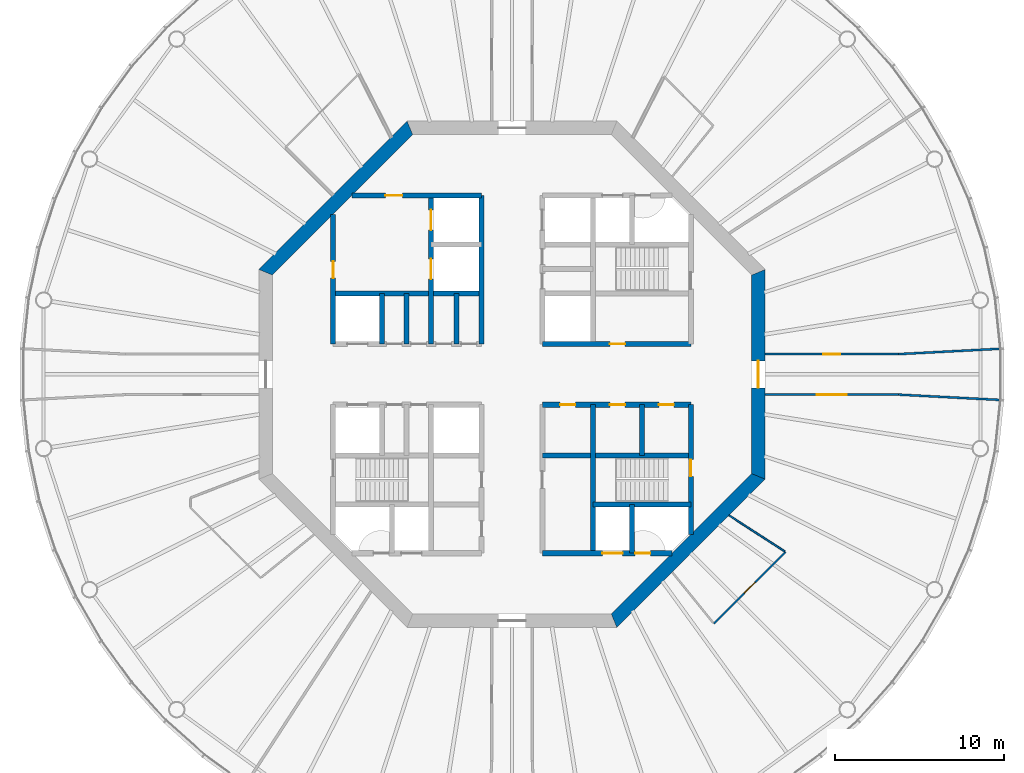
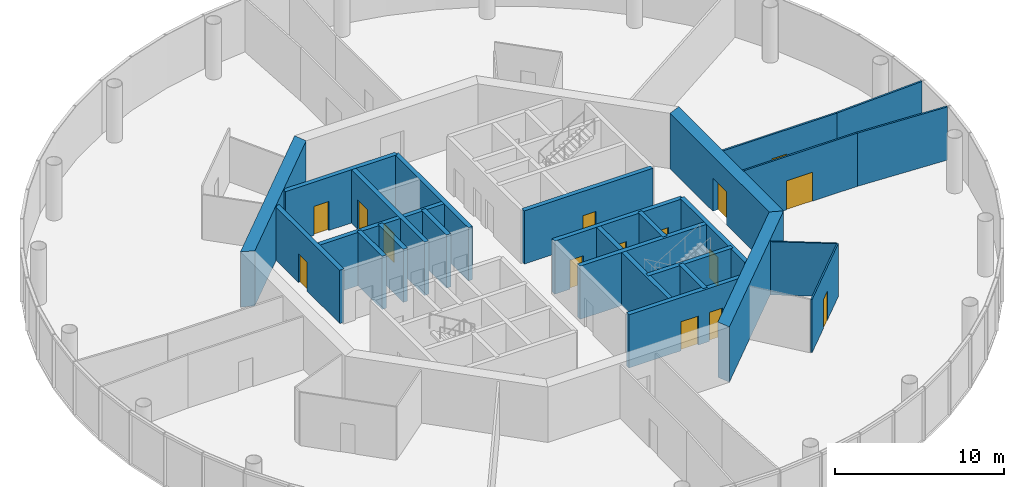
# One storey, part 4 of 13: 26 walls, 15 doors, 15 openings.
"""IFC4 building model written with IfcOpenShell, lengths in metres."""

from ifc_helpers import new_model, si_unit, direction, frame, frame_2d, origin, place, context, subcontext, project, spatial, polyline, rectangle, outline, extrude, material, layer, layer_set, type_object, element, fill, save


model = new_model("IFC4")

# Units and contexts
model_context = context("Model", 3, precision=1e-05, world=origin(), true_north=direction((0.0, 1.0)))
body_context = subcontext(model_context, "Body", "Model", "MODEL_VIEW")
ifc_project = project(units=[si_unit("LENGTHUNIT", "METRE"), si_unit("AREAUNIT", "SQUARE_METRE"), si_unit("VOLUMEUNIT", "CUBIC_METRE"), si_unit("PLANEANGLEUNIT", "RADIAN"), si_unit("MASSUNIT", "GRAM", prefix="KILO")], contexts=[model_context])

# Site, building, storey
site_placement = place(None, origin())
site = spatial("IfcSite", under=ifc_project, at=site_placement, CompositionType="ELEMENT")
building_placement = place(site_placement, origin())
building = spatial("IfcBuilding", under=site, at=building_placement, Name="Entoto Ring Tower", CompositionType="ELEMENT")
storey_placement = place(building_placement, frame((0.0, 0.0, 302.0)))
storey = spatial("IfcBuildingStorey", under=building, at=storey_placement, Name="L69", CompositionType="ELEMENT", Elevation=302.0)

# Wall, opening, door
ifc_material_1 = material(Name="Concrete C40/50", Category="concrete")
ifc_layer_1 = layer(ifc_material_1, 0.300048828125)
ifc_layer_set_1 = layer_set([ifc_layer_1], Name="Concrete C40/50")
wall_type_1 = type_object("IfcWallType", Name="Core enclosure wall 300 mm reinforced concrete", PredefinedType="SOLIDWALL", material=ifc_layer_set_1)
wall_1_placement = place(storey_placement, frame((100.60009765625, 70.518310546875, 0.0), z_axis=(0.0, 0.0, 1.0), x_axis=(0.0, 1.0, 0.0)))
wall_1 = element("IfcWall", 1, at=wall_1_placement, inside=storey, type_object=wall_type_1, Name="wall-L69-001", PredefinedType="SOLIDWALL", context=body_context, shape_type="SweptSolid", body=[
    extrude(rectangle(XDim=7.681640625, YDim=0.300048828125, at=frame_2d((3.8408203125, 0.0))), origin(), (0.0, 0.0, 1.0), 3.85009765625),
])
opening_1_placement = place(wall_1_placement, frame((3.431884765625, 0.0, 0.0)))
opening_1 = element("IfcOpeningElement", 2, at=opening_1_placement, cuts=wall_1, Name="Opening K-28", PredefinedType="OPENING", context=body_context, shape_type="SweptSolid", body=[
    extrude(rectangle(XDim=1.0, YDim=2.10009765625, at=frame_2d((0.5, 1.050048828125))), frame((0.0, 0.16015625, 0.0), z_axis=(0.0, -1.0, 0.0), x_axis=(1.0, 0.0, 0.0)), (0.0, 0.0, 1.0), 0.320068359375),
])
ifc_material_2 = material(Name="Steel door leaf, fire rated", Category="steel")
ifc_layer_2 = layer(ifc_material_2, 0.050048828125)
ifc_layer_set_2 = layer_set([ifc_layer_2], Name="Steel door leaf, fire rated")
door_type_1 = type_object("IfcDoorType", Name="Fire door FD60 1000 x 2100 single leaf", OperationType="NOTDEFINED", PredefinedType="DOOR", material=ifc_layer_set_2)
door_1_placement = place(opening_1_placement, origin())
door_1 = element("IfcDoor", 3, at=door_1_placement, inside=storey, type_object=door_type_1, Name="Door K-28", OperationType="SINGLE_SWING_RIGHT", OverallHeight=2.10009765625, OverallWidth=1.0, PredefinedType="DOOR", context=body_context, shape_type="SweptSolid", body=[
    extrude(rectangle(XDim=1.0, YDim=2.10009765625, at=frame_2d((0.5, 1.050048828125))), frame((0.0, 0.02490234375, 0.0), z_axis=(0.0, -1.0, 0.0), x_axis=(1.0, 0.0, 0.0)), (0.0, 0.0, 1.0), 0.050048828125),
])
fill(opening_1, door_1)

# Walls
wall_2_placement = place(storey_placement, frame((97.699951171875, 75.199951171875, 0.0), z_axis=(0.0, 0.0, 1.0), x_axis=(0.0, 1.0, 0.0)))
element("IfcWall", 4, at=wall_2_placement, inside=storey, type_object=wall_type_1, Name="wall-L69-003", PredefinedType="SOLIDWALL", context=body_context, shape_type="SweptSolid", body=[
    extrude(rectangle(XDim=3.0, YDim=0.300048828125, at=frame_2d((1.5, 0.0))), origin(), (0.0, 0.0, 1.0), 3.85009765625),
])
wall_3_placement = place(storey_placement, frame((97.10009765625, 69.39990234375, 0.0), z_axis=(0.0, 0.0, 1.0), x_axis=(0.0, 1.0, 0.0)))
element("IfcWall", 5, at=wall_3_placement, inside=storey, type_object=wall_type_1, Name="wall-L69-004", PredefinedType="SOLIDWALL", context=body_context, shape_type="SweptSolid", body=[
    extrude(rectangle(XDim=2.900146484375, YDim=0.300048828125, at=frame_2d((1.4501953125, 0.0))), origin(), (0.0, 0.0, 1.0), 3.85009765625),
])
for number, where, z_axis, x_axis, name in (
    (6, (94.800048828125, 69.39990234375, 0.0), (0.0, 0.0, 1.0), (0.0, 1.0, 0.0), "wall-L69-006"),
    (7, (88.199951171875, 81.800048828125, 0.0), (0.0, 0.0, 1.0), (0.0, 1.0, 0.0), "wall-L69-011"),
):
    element("IfcWall", number, at=place(storey_placement, frame(where, z_axis=z_axis, x_axis=x_axis)), inside=storey, type_object=wall_type_1, Name=name, PredefinedType="SOLIDWALL", context=body_context, shape_type="SweptSolid", body=[
        extrude(rectangle(XDim=8.800048828125, YDim=0.300048828125, at=frame_2d((4.39990234375, 0.0))), origin(), (0.0, 0.0, 1.0), 3.85009765625),
    ])
wall_4_placement = place(storey_placement, frame((86.699951171875, 81.800048828125, 0.0), z_axis=(0.0, 0.0, 1.0), x_axis=(0.0, 1.0, 0.0)))
element("IfcWall", 8, at=wall_4_placement, inside=storey, type_object=wall_type_1, Name="wall-L69-012", PredefinedType="SOLIDWALL", context=body_context, shape_type="SweptSolid", body=[
    extrude(rectangle(XDim=3.0, YDim=0.300048828125, at=frame_2d((1.5, 0.0))), origin(), (0.0, 0.0, 1.0), 3.85009765625),
])

# Wall, openings, doors
wall_5_placement = place(storey_placement, frame((85.199951171875, 81.800048828125, 0.0), z_axis=(0.0, 0.0, 1.0), x_axis=(0.0, 1.0, 0.0)))
wall_5 = element("IfcWall", 9, at=wall_5_placement, inside=storey, type_object=wall_type_1, Name="wall-L69-014", PredefinedType="SOLIDWALL", context=body_context, shape_type="SweptSolid", body=[
    extrude(rectangle(XDim=8.800048828125, YDim=0.300048828125, at=frame_2d((4.39990234375, 0.0))), origin(), (0.0, 0.0, 1.0), 3.85009765625),
])
opening_2_placement = place(wall_5_placement, frame((3.85009765625, 0.0, 0.0)))
opening_2 = element("IfcOpeningElement", 10, at=opening_2_placement, cuts=wall_5, Name="Opening LD", PredefinedType="OPENING", context=body_context, shape_type="SweptSolid", body=[
    extrude(rectangle(XDim=1.199951171875, YDim=2.10009765625, at=frame_2d((0.60009765625, 1.050048828125))), frame((0.0, 0.16015625, 0.0), z_axis=(0.0, -1.0, 0.0), x_axis=(1.0, 0.0, 0.0)), (0.0, 0.0, 1.0), 0.320068359375),
])
opening_3_placement = place(wall_5_placement, frame((6.75, 0.0, 0.0)))
opening_3 = element("IfcOpeningElement", 11, at=opening_3_placement, cuts=wall_5, Name="Opening LD", PredefinedType="OPENING", context=body_context, shape_type="SweptSolid", body=[
    extrude(rectangle(XDim=1.199951171875, YDim=2.10009765625, at=frame_2d((0.60009765625, 1.050048828125))), frame((0.0, 0.16015625, 0.0), z_axis=(0.0, -1.0, 0.0), x_axis=(1.0, 0.0, 0.0)), (0.0, 0.0, 1.0), 0.320068359375),
])
ifc_material_3 = material(Name="Steel and glass door leaf", Category="steel")
ifc_layer_3 = layer(ifc_material_3, 0.050048828125)
ifc_layer_set_3 = layer_set([ifc_layer_3], Name="Steel and glass door leaf")
door_type_2 = type_object("IfcDoorType", Name="Landing door 1200 x 2100 sliding", OperationType="DOUBLE_DOOR_SLIDING", PredefinedType="DOOR", material=ifc_layer_set_3)
door_2_placement = place(opening_2_placement, origin())
door_2 = element("IfcDoor", 12, at=door_2_placement, inside=storey, type_object=door_type_2, Name="Landing door FF1", OperationType="SLIDING_TO_RIGHT", OverallHeight=2.10009765625, OverallWidth=1.199951171875, PredefinedType="DOOR", context=body_context, shape_type="SweptSolid", body=[
    extrude(rectangle(XDim=1.199951171875, YDim=2.10009765625, at=frame_2d((0.60009765625, 1.050048828125))), frame((0.0, 0.02490234375, 0.0), z_axis=(0.0, -1.0, 0.0), x_axis=(1.0, 0.0, 0.0)), (0.0, 0.0, 1.0), 0.050048828125),
])
fill(opening_2, door_2)
door_3_placement = place(opening_3_placement, origin())
door_3 = element("IfcDoor", 13, at=door_3_placement, inside=storey, type_object=door_type_2, Name="Landing door FF2", OperationType="SLIDING_TO_RIGHT", OverallHeight=2.10009765625, OverallWidth=1.199951171875, PredefinedType="DOOR", context=body_context, shape_type="SweptSolid", body=[
    extrude(rectangle(XDim=1.199951171875, YDim=2.10009765625, at=frame_2d((0.60009765625, 1.050048828125))), frame((0.0, 0.02490234375, 0.0), z_axis=(0.0, -1.0, 0.0), x_axis=(1.0, 0.0, 0.0)), (0.0, 0.0, 1.0), 0.050048828125),
])
fill(opening_3, door_3)

# Walls
for number, where, z_axis, x_axis, name in (
    (14, (83.75, 81.800048828125, 0.0), (0.0, 0.0, 1.0), (0.0, 1.0, 0.0), "wall-L69-016"),
    (15, (82.300048828125, 81.800048828125, 0.0), (0.0, 0.0, 1.0), (0.0, 1.0, 0.0), "wall-L69-019"),
):
    element("IfcWall", number, at=place(storey_placement, frame(where, z_axis=z_axis, x_axis=x_axis)), inside=storey, type_object=wall_type_1, Name=name, PredefinedType="SOLIDWALL", context=body_context, shape_type="SweptSolid", body=[
        extrude(rectangle(XDim=3.0, YDim=0.300048828125, at=frame_2d((1.5, 0.0))), origin(), (0.0, 0.0, 1.0), 3.85009765625),
    ])

# Wall, opening, door
wall_6_placement = place(storey_placement, frame((79.39990234375, 81.800048828125, 0.0), z_axis=(0.0, 0.0, 1.0), x_axis=(0.0, 1.0, 0.0)))
wall_6 = element("IfcWall", 16, at=wall_6_placement, inside=storey, type_object=wall_type_1, Name="wall-L69-021", PredefinedType="SOLIDWALL", context=body_context, shape_type="SweptSolid", body=[
    extrude(rectangle(XDim=7.681640625, YDim=0.300048828125, at=frame_2d((3.8408203125, 0.0))), origin(), (0.0, 0.0, 1.0), 3.85009765625),
])
opening_4_placement = place(wall_6_placement, frame((3.89990234375, 0.0, 0.0)))
opening_4 = element("IfcOpeningElement", 17, at=opening_4_placement, cuts=wall_6, Name="Opening K-86", PredefinedType="OPENING", context=body_context, shape_type="SweptSolid", body=[
    extrude(rectangle(XDim=1.0, YDim=2.10009765625, at=frame_2d((0.5, 1.050048828125))), frame((0.0, 0.16015625, 0.0), z_axis=(0.0, -1.0, 0.0), x_axis=(1.0, 0.0, 0.0)), (0.0, 0.0, 1.0), 0.320068359375),
])
door_4_placement = place(opening_4_placement, frame((1.0, 0.0, 0.0), z_axis=(0.0, 0.0, 1.0), x_axis=(-1.0, 0.0, 0.0)))
door_4 = element("IfcDoor", 18, at=door_4_placement, inside=storey, type_object=door_type_1, Name="Door K-86", OperationType="SINGLE_SWING_RIGHT", OverallHeight=2.10009765625, OverallWidth=1.0, PredefinedType="DOOR", context=body_context, shape_type="SweptSolid", body=[
    extrude(rectangle(XDim=1.0, YDim=2.10009765625, at=frame_2d((0.5, 1.050048828125))), frame((0.0, 0.02490234375, 0.0), z_axis=(0.0, -1.0, 0.0), x_axis=(1.0, 0.0, 0.0)), (0.0, 0.0, 1.0), 0.050048828125),
])
fill(opening_4, door_4)

# Wall, openings, doors
wall_7_placement = place(storey_placement, frame((91.800048828125, 69.39990234375, 0.0), z_axis=(0.0, 0.0, 1.0), x_axis=(1.0, 0.0, 0.0)))
wall_7 = element("IfcWall", 19, at=wall_7_placement, inside=storey, type_object=wall_type_1, Name="wall-L69-023", PredefinedType="SOLIDWALL", context=body_context, shape_type="SweptSolid", body=[
    extrude(rectangle(XDim=7.681640625, YDim=0.300048828125, at=frame_2d((3.8408203125, 0.0))), origin(), (0.0, 0.0, 1.0), 3.85009765625),
])
opening_5_placement = place(wall_7_placement, frame((3.550048828125, 0.0, 0.0)))
opening_5 = element("IfcOpeningElement", 20, at=opening_5_placement, cuts=wall_7, Name="Opening LD", PredefinedType="OPENING", context=body_context, shape_type="SweptSolid", body=[
    extrude(rectangle(XDim=1.199951171875, YDim=2.10009765625, at=frame_2d((0.60009765625, 1.050048828125))), frame((0.0, 0.16015625, 0.0), z_axis=(0.0, -1.0, 0.0), x_axis=(1.0, 0.0, 0.0)), (0.0, 0.0, 1.0), 0.320068359375),
])
opening_6_placement = place(wall_7_placement, frame((5.5, 0.0, 0.0)))
opening_6 = element("IfcOpeningElement", 21, at=opening_6_placement, cuts=wall_7, Name="Opening K-85", PredefinedType="OPENING", context=body_context, shape_type="SweptSolid", body=[
    extrude(rectangle(XDim=0.89990234375, YDim=2.10009765625, at=frame_2d((0.449951171875, 1.050048828125))), frame((0.0, 0.16015625, 0.0), z_axis=(0.0, -1.0, 0.0), x_axis=(1.0, 0.0, 0.0)), (0.0, 0.0, 1.0), 0.320068359375),
])
door_5_placement = place(opening_5_placement, origin())
door_5 = element("IfcDoor", 22, at=door_5_placement, inside=storey, type_object=door_type_2, Name="Landing door LB2-HR", OperationType="SLIDING_TO_RIGHT", OverallHeight=2.10009765625, OverallWidth=1.199951171875, PredefinedType="DOOR", context=body_context, shape_type="SweptSolid", body=[
    extrude(rectangle(XDim=1.199951171875, YDim=2.10009765625, at=frame_2d((0.60009765625, 1.050048828125))), frame((0.0, 0.02490234375, 0.0), z_axis=(0.0, -1.0, 0.0), x_axis=(1.0, 0.0, 0.0)), (0.0, 0.0, 1.0), 0.050048828125),
])
fill(opening_5, door_5)
ifc_material_4 = material(Name="Steel door leaf, fire rated", Category="steel")
ifc_layer_4 = layer(ifc_material_4, 0.050048828125)
ifc_layer_set_4 = layer_set([ifc_layer_4], Name="Steel door leaf, fire rated")
door_type_3 = type_object("IfcDoorType", Name="Riser door FD60 900 x 2100 single leaf", OperationType="NOTDEFINED", PredefinedType="DOOR", material=ifc_layer_set_4)
door_6_placement = place(opening_6_placement, origin())
door_6 = element("IfcDoor", 23, at=door_6_placement, inside=storey, type_object=door_type_3, Name="Door K-85", OperationType="SINGLE_SWING_LEFT", OverallHeight=2.10009765625, OverallWidth=0.89990234375, PredefinedType="DOOR", context=body_context, shape_type="SweptSolid", body=[
    extrude(rectangle(XDim=0.89990234375, YDim=2.10009765625, at=frame_2d((0.449951171875, 1.050048828125))), frame((0.0, 0.02490234375, 0.0), z_axis=(0.0, -1.0, 0.0), x_axis=(1.0, 0.0, 0.0)), (0.0, 0.0, 1.0), 0.050048828125),
])
fill(opening_6, door_6)

# Walls
wall_8_placement = place(storey_placement, frame((94.800048828125, 72.300048828125, 0.0), z_axis=(0.0, 0.0, 1.0), x_axis=(1.0, 0.0, 0.0)))
element("IfcWall", 24, at=wall_8_placement, inside=storey, type_object=wall_type_1, Name="wall-L69-025", PredefinedType="SOLIDWALL", context=body_context, shape_type="SweptSolid", body=[
    extrude(rectangle(XDim=5.800048828125, YDim=0.300048828125, at=frame_2d((2.89990234375, 0.0))), origin(), (0.0, 0.0, 1.0), 3.85009765625),
])
wall_9_placement = place(storey_placement, frame((91.800048828125, 75.199951171875, 0.0), z_axis=(0.0, 0.0, 1.0), x_axis=(1.0, 0.0, 0.0)))
element("IfcWall", 25, at=wall_9_placement, inside=storey, type_object=wall_type_1, Name="wall-L69-027", PredefinedType="SOLIDWALL", context=body_context, shape_type="SweptSolid", body=[
    extrude(rectangle(XDim=8.800048828125, YDim=0.300048828125, at=frame_2d((4.39990234375, 0.0))), origin(), (0.0, 0.0, 1.0), 3.85009765625),
])

# Wall, openings, doors
wall_10_placement = place(storey_placement, frame((91.800048828125, 78.199951171875, 0.0), z_axis=(0.0, 0.0, 1.0), x_axis=(1.0, 0.0, 0.0)))
wall_10 = element("IfcWall", 26, at=wall_10_placement, inside=storey, type_object=wall_type_1, Name="wall-L69-029", PredefinedType="SOLIDWALL", context=body_context, shape_type="SweptSolid", body=[
    extrude(rectangle(XDim=8.800048828125, YDim=0.300048828125, at=frame_2d((4.39990234375, 0.0))), origin(), (0.0, 0.0, 1.0), 3.85009765625),
])
opening_7_placement = place(wall_10_placement, frame((4.0, 0.0, 0.0)))
opening_7 = element("IfcOpeningElement", 27, at=opening_7_placement, cuts=wall_10, Name="Opening K-14", PredefinedType="OPENING", context=body_context, shape_type="SweptSolid", body=[
    extrude(rectangle(XDim=0.89990234375, YDim=2.10009765625, at=frame_2d((0.449951171875, 1.050048828125))), frame((0.0, 0.16015625, 0.0), z_axis=(0.0, -1.0, 0.0), x_axis=(1.0, 0.0, 0.0)), (0.0, 0.0, 1.0), 0.320068359375),
])
opening_8_placement = place(wall_10_placement, frame((6.89990234375, 0.0, 0.0)))
opening_8 = element("IfcOpeningElement", 28, at=opening_8_placement, cuts=wall_10, Name="Opening K-15", PredefinedType="OPENING", context=body_context, shape_type="SweptSolid", body=[
    extrude(rectangle(XDim=0.89990234375, YDim=2.10009765625, at=frame_2d((0.449951171875, 1.050048828125))), frame((0.0, 0.16015625, 0.0), z_axis=(0.0, -1.0, 0.0), x_axis=(1.0, 0.0, 0.0)), (0.0, 0.0, 1.0), 0.320068359375),
])
opening_9_placement = place(wall_10_placement, frame((1.050048828125, 0.0, 0.0)))
opening_9 = element("IfcOpeningElement", 29, at=opening_9_placement, cuts=wall_10, Name="Opening K-25", PredefinedType="OPENING", context=body_context, shape_type="SweptSolid", body=[
    extrude(rectangle(XDim=0.89990234375, YDim=2.10009765625, at=frame_2d((0.449951171875, 1.050048828125))), frame((0.0, 0.16015625, 0.0), z_axis=(0.0, -1.0, 0.0), x_axis=(1.0, 0.0, 0.0)), (0.0, 0.0, 1.0), 0.320068359375),
])
ifc_material_5 = material(Name="Steel door leaf, fire rated", Category="steel")
ifc_layer_5 = layer(ifc_material_5, 0.050048828125)
ifc_layer_set_5 = layer_set([ifc_layer_5], Name="Steel door leaf, fire rated")
door_type_4 = type_object("IfcDoorType", Name="Core door 900 x 2100 single leaf", OperationType="NOTDEFINED", PredefinedType="DOOR", material=ifc_layer_set_5)
door_7_placement = place(opening_7_placement, frame((0.89990234375, 0.0, 0.0), z_axis=(0.0, 0.0, 1.0), x_axis=(-1.0, 0.0, 0.0)))
door_7 = element("IfcDoor", 30, at=door_7_placement, inside=storey, type_object=door_type_4, Name="Door K-14", OperationType="SINGLE_SWING_RIGHT", OverallHeight=2.10009765625, OverallWidth=0.89990234375, PredefinedType="DOOR", context=body_context, shape_type="SweptSolid", body=[
    extrude(rectangle(XDim=0.89990234375, YDim=2.10009765625, at=frame_2d((0.449951171875, 1.050048828125))), frame((0.0, 0.02490234375, 0.0), z_axis=(0.0, -1.0, 0.0), x_axis=(1.0, 0.0, 0.0)), (0.0, 0.0, 1.0), 0.050048828125),
])
fill(opening_7, door_7)
door_8_placement = place(opening_8_placement, frame((0.89990234375, 0.0, 0.0), z_axis=(0.0, 0.0, 1.0), x_axis=(-1.0, 0.0, 0.0)))
door_8 = element("IfcDoor", 31, at=door_8_placement, inside=storey, type_object=door_type_4, Name="Door K-15", OperationType="SINGLE_SWING_LEFT", OverallHeight=2.10009765625, OverallWidth=0.89990234375, PredefinedType="DOOR", context=body_context, shape_type="SweptSolid", body=[
    extrude(rectangle(XDim=0.89990234375, YDim=2.10009765625, at=frame_2d((0.449951171875, 1.050048828125))), frame((0.0, 0.02490234375, 0.0), z_axis=(0.0, -1.0, 0.0), x_axis=(1.0, 0.0, 0.0)), (0.0, 0.0, 1.0), 0.050048828125),
])
fill(opening_8, door_8)
door_9_placement = place(opening_9_placement, frame((0.89990234375, 0.0, 0.0), z_axis=(0.0, 0.0, 1.0), x_axis=(-1.0, 0.0, 0.0)))
door_9 = element("IfcDoor", 32, at=door_9_placement, inside=storey, type_object=door_type_4, Name="Door K-25", OperationType="SINGLE_SWING_RIGHT", OverallHeight=2.10009765625, OverallWidth=0.89990234375, PredefinedType="DOOR", context=body_context, shape_type="SweptSolid", body=[
    extrude(rectangle(XDim=0.89990234375, YDim=2.10009765625, at=frame_2d((0.449951171875, 1.050048828125))), frame((0.0, 0.02490234375, 0.0), z_axis=(0.0, -1.0, 0.0), x_axis=(1.0, 0.0, 0.0)), (0.0, 0.0, 1.0), 0.050048828125),
])
fill(opening_9, door_9)

# Wall, opening, door
wall_11_placement = place(storey_placement, frame((91.800048828125, 81.800048828125, 0.0), z_axis=(0.0, 0.0, 1.0), x_axis=(1.0, 0.0, 0.0)))
wall_11 = element("IfcWall", 33, at=wall_11_placement, inside=storey, type_object=wall_type_1, Name="wall-L69-031", PredefinedType="SOLIDWALL", context=body_context, shape_type="SweptSolid", body=[
    extrude(rectangle(XDim=8.800048828125, YDim=0.300048828125, at=frame_2d((4.39990234375, 0.0))), origin(), (0.0, 0.0, 1.0), 3.85009765625),
])
opening_10_placement = place(wall_11_placement, frame((4.0, 0.0, 0.0)))
opening_10 = element("IfcOpeningElement", 34, at=opening_10_placement, cuts=wall_11, Name="Opening K-11", PredefinedType="OPENING", context=body_context, shape_type="SweptSolid", body=[
    extrude(rectangle(XDim=0.89990234375, YDim=2.10009765625, at=frame_2d((0.449951171875, 1.050048828125))), frame((0.0, 0.16015625, 0.0), z_axis=(0.0, -1.0, 0.0), x_axis=(1.0, 0.0, 0.0)), (0.0, 0.0, 1.0), 0.320068359375),
])
door_10_placement = place(opening_10_placement, origin())
door_10 = element("IfcDoor", 35, at=door_10_placement, inside=storey, type_object=door_type_4, Name="Door K-11", OperationType="SINGLE_SWING_LEFT", OverallHeight=2.10009765625, OverallWidth=0.89990234375, PredefinedType="DOOR", context=body_context, shape_type="SweptSolid", body=[
    extrude(rectangle(XDim=0.89990234375, YDim=2.10009765625, at=frame_2d((0.449951171875, 1.050048828125))), frame((0.0, 0.02490234375, 0.0), z_axis=(0.0, -1.0, 0.0), x_axis=(1.0, 0.0, 0.0)), (0.0, 0.0, 1.0), 0.050048828125),
])
fill(opening_10, door_10)

# Wall
wall_12_placement = place(storey_placement, frame((79.39990234375, 84.800048828125, 0.0), z_axis=(0.0, 0.0, 1.0), x_axis=(1.0, 0.0, 0.0)))
element("IfcWall", 36, at=wall_12_placement, inside=storey, type_object=wall_type_1, Name="wall-L69-032", PredefinedType="SOLIDWALL", context=body_context, shape_type="SweptSolid", body=[
    extrude(rectangle(XDim=8.800048828125, YDim=0.300048828125, at=frame_2d((4.39990234375, 0.0))), origin(), (0.0, 0.0, 1.0), 3.85009765625),
])

# Wall, opening, door
wall_13_placement = place(storey_placement, frame((80.518310546875, 90.60009765625, 0.0), z_axis=(0.0, 0.0, 1.0), x_axis=(1.0, 0.0, 0.0)))
wall_13 = element("IfcWall", 37, at=wall_13_placement, inside=storey, type_object=wall_type_1, Name="wall-L69-037", PredefinedType="SOLIDWALL", context=body_context, shape_type="SweptSolid", body=[
    extrude(rectangle(XDim=7.681640625, YDim=0.300048828125, at=frame_2d((3.8408203125, 0.0))), origin(), (0.0, 0.0, 1.0), 3.85009765625),
])
opening_11_placement = place(wall_13_placement, frame((1.981689453125, 0.0, 0.0)))
opening_11 = element("IfcOpeningElement", 38, at=opening_11_placement, cuts=wall_13, Name="Opening K-87", PredefinedType="OPENING", context=body_context, shape_type="SweptSolid", body=[
    extrude(rectangle(XDim=1.0, YDim=2.10009765625, at=frame_2d((0.5, 1.050048828125))), frame((0.0, 0.16015625, 0.0), z_axis=(0.0, -1.0, 0.0), x_axis=(1.0, 0.0, 0.0)), (0.0, 0.0, 1.0), 0.320068359375),
])
door_11_placement = place(opening_11_placement, frame((1.0, 0.0, 0.0), z_axis=(0.0, 0.0, 1.0), x_axis=(-1.0, 0.0, 0.0)))
door_11 = element("IfcDoor", 39, at=door_11_placement, inside=storey, type_object=door_type_1, Name="Door K-87", OperationType="SINGLE_SWING_LEFT", OverallHeight=2.10009765625, OverallWidth=1.0, PredefinedType="DOOR", context=body_context, shape_type="SweptSolid", body=[
    extrude(rectangle(XDim=1.0, YDim=2.10009765625, at=frame_2d((0.5, 1.050048828125))), frame((0.0, 0.02490234375, 0.0), z_axis=(0.0, -1.0, 0.0), x_axis=(1.0, 0.0, 0.0)), (0.0, 0.0, 1.0), 0.050048828125),
])
fill(opening_11, door_11)

ifc_material_6 = material(Name="Concrete C40/50", Category="concrete")
ifc_layer_6 = layer(ifc_material_6, 0.800048828125)
ifc_layer_set_6 = layer_set([ifc_layer_6], Name="Concrete C40/50")
wall_type_2 = type_object("IfcWallType", Name="Core shear wall 800 mm reinforced concrete C40/50", PredefinedType="SHEAR", material=ifc_layer_set_6)
wall_14_placement = place(storey_placement, frame((104.60009765625, 73.952392578125, 0.0), z_axis=(0.0, 0.0, 1.0), x_axis=(0.0, 1.0, 0.0)))
wall_14 = element("IfcWall", 40, at=wall_14_placement, inside=storey, type_object=wall_type_2, Name="wall-L69-core-0", PredefinedType="SHEAR", context=body_context, shape_type="SweptSolid", body=[
    extrude(outline(polyline([(-0.165771484375, -0.39990234375), (12.260986328125, -0.39990234375), (11.929443359375, 0.39990234375), (0.165771484375, 0.39990234375), (-0.165771484375, -0.39990234375)])), origin(), (0.0, 0.0, 1.0), 4.0),
])
opening_12_placement = place(wall_14_placement, frame((5.24755859375, 0.0, 0.0)))
opening_12 = element("IfcOpeningElement", 41, at=opening_12_placement, cuts=wall_14, Name="Opening K-01", PredefinedType="OPENING", context=body_context, shape_type="SweptSolid", body=[
    extrude(rectangle(XDim=1.60009765625, YDim=2.39990234375, at=frame_2d((0.800048828125, 1.199951171875))), frame((0.0, 0.41015625, 0.0), z_axis=(0.0, -1.0, 0.0), x_axis=(1.0, 0.0, 0.0)), (0.0, 0.0, 1.0), 0.820068359375),
])
ifc_material_7 = material(Name="Steel door leaf, fire rated", Category="steel")
ifc_layer_7 = layer(ifc_material_7, 0.050048828125)
ifc_layer_set_7 = layer_set([ifc_layer_7], Name="Steel door leaf, fire rated")
door_type_5 = type_object("IfcDoorType", Name="Entrance door FD60 1600 x 2400 double leaf", OperationType="DOUBLE_DOOR_SINGLE_SWING", PredefinedType="DOOR", material=ifc_layer_set_7)
door_12_placement = place(opening_12_placement, origin())
door_12 = element("IfcDoor", 42, at=door_12_placement, inside=storey, type_object=door_type_5, Name="Entrance door K-01", OperationType="DOUBLE_DOOR_SINGLE_SWING", OverallHeight=2.39990234375, OverallWidth=1.60009765625, PredefinedType="DOOR", context=body_context, shape_type="SweptSolid", body=[
    extrude(rectangle(XDim=1.60009765625, YDim=2.39990234375, at=frame_2d((0.800048828125, 1.199951171875))), frame((0.0, 0.02490234375, 0.0), z_axis=(0.0, -1.0, 0.0), x_axis=(1.0, 0.0, 0.0)), (0.0, 0.0, 1.0), 0.050048828125),
])
fill(opening_12, door_12)

# Walls
for number, where, z_axis, x_axis, name in (
    (43, (83.952392578125, 94.60009765625, 0.0), (0.0, 0.0, 1.0), (-0.707106781187, -0.707106781187, 0.0), "wall-L69-core-3"),
    (44, (96.047607421875, 65.39990234375, 0.0), (0.0, 0.0, 1.0), (0.707106781187, 0.707106781187, 0.0), "wall-L69-core-7"),
):
    element("IfcWall", number, at=place(storey_placement, frame(where, z_axis=z_axis, x_axis=x_axis)), inside=storey, type_object=wall_type_2, Name=name, PredefinedType="SHEAR", context=body_context, shape_type="SweptSolid", body=[
        extrude(outline(polyline([(-0.165771484375, -0.39990234375), (12.2607421875, -0.39990234375), (11.92919921875, 0.39990234375), (0.165771484375, 0.39990234375), (-0.165771484375, -0.39990234375)])), origin(), (0.0, 0.0, 1.0), 4.0),
    ])

# Wall, opening, door
ifc_material_8 = material(Name="Fire-resisting plasterboard on steel studs", Category="steel")
ifc_layer_8 = layer(ifc_material_8, 0.125)
ifc_layer_set_8 = layer_set([ifc_layer_8], Name="Fire-resisting plasterboard on steel studs")
wall_type_3 = type_object("IfcWallType", Name="Corridor wall 125 mm one-hour plasterboard on steel studs", PredefinedType="PARTITIONING", material=ifc_layer_set_8)
wall_15_placement = place(storey_placement, frame((105.0, 78.800048828125, 0.0), z_axis=(0.0, 0.0, 1.0), x_axis=(1.0, 0.0, 0.0)))
wall_15 = element("IfcWall", 45, at=wall_15_placement, inside=storey, type_object=wall_type_3, Name="partition-L69-007", PredefinedType="PARTITIONING", context=body_context, shape_type="SweptSolid", body=[
    extrude(rectangle(XDim=7.8974609375, YDim=0.125, at=frame_2d((3.94873046875, 0.0))), origin(), (0.0, 0.0, 1.0), 3.85009765625),
])
opening_13_placement = place(wall_15_placement, frame((3.048583984375, 0.0, 0.0)))
opening_13 = element("IfcOpeningElement", 46, at=opening_13_placement, cuts=wall_15, Name="Opening A30-D09", PredefinedType="OPENING", context=body_context, shape_type="SweptSolid", body=[
    extrude(rectangle(XDim=1.800048828125, YDim=2.10009765625, at=frame_2d((0.89990234375, 1.050048828125))), frame((0.0, 0.072509765625, 0.0), z_axis=(0.0, -1.0, 0.0), x_axis=(1.0, 0.0, 0.0)), (0.0, 0.0, 1.0), 0.14501953125),
])
ifc_material_9 = material(Name="Fire-resisting timber door set", Category="wood")
door_type_6 = type_object("IfcDoorType", Name="Door 1800 x 2100 double leaf FD30S fire door", OperationType="DOUBLE_DOOR_SINGLE_SWING", PredefinedType="DOOR", material=ifc_material_9)
door_13_placement = place(opening_13_placement, frame((1.800048828125, 0.0, 0.0), z_axis=(0.0, 0.0, 1.0), x_axis=(-1.0, 0.0, 0.0)))
door_13 = element("IfcDoor", 47, at=door_13_placement, inside=storey, type_object=door_type_6, Name="Door A30-D09", OperationType="DOUBLE_DOOR_SINGLE_SWING", OverallHeight=2.10009765625, OverallWidth=1.800048828125, PredefinedType="DOOR", context=body_context, shape_type="SweptSolid", body=[
    extrude(rectangle(XDim=1.800048828125, YDim=2.10009765625, at=frame_2d((0.89990234375, 1.050048828125))), frame((0.0, 0.02490234375, 0.0), z_axis=(0.0, -1.0, 0.0), x_axis=(1.0, 0.0, 0.0)), (0.0, 0.0, 1.0), 0.050048828125),
])
fill(opening_13, door_13)

wall_16_placement = place(storey_placement, frame((105.0, 81.199951171875, 0.0), z_axis=(0.0, 0.0, 1.0), x_axis=(1.0, 0.0, 0.0)))
wall_16 = element("IfcWall", 48, at=wall_16_placement, inside=storey, type_object=wall_type_3, Name="partition-L69-008", PredefinedType="PARTITIONING", context=body_context, shape_type="SweptSolid", body=[
    extrude(rectangle(XDim=7.8974609375, YDim=0.125, at=frame_2d((3.94873046875, 0.0))), origin(), (0.0, 0.0, 1.0), 3.85009765625),
])
opening_14_placement = place(wall_16_placement, frame((3.44873046875, 0.0, 0.0)))
opening_14 = element("IfcOpeningElement", 49, at=opening_14_placement, cuts=wall_16, Name="Opening A30-D01", PredefinedType="OPENING", context=body_context, shape_type="SweptSolid", body=[
    extrude(rectangle(XDim=1.0, YDim=2.10009765625, at=frame_2d((0.5, 1.050048828125))), frame((0.0, 0.072509765625, 0.0), z_axis=(0.0, -1.0, 0.0), x_axis=(1.0, 0.0, 0.0)), (0.0, 0.0, 1.0), 0.14501953125),
])
ifc_material_10 = material(Name="Fire-resisting timber door set", Category="wood")
door_type_7 = type_object("IfcDoorType", Name="Door 1000 x 2100 single leaf FD30S fire door", OperationType="NOTDEFINED", PredefinedType="DOOR", material=ifc_material_10)
door_14_placement = place(opening_14_placement, origin())
door_14 = element("IfcDoor", 50, at=door_14_placement, inside=storey, type_object=door_type_7, Name="Door A30-D01", OperationType="SINGLE_SWING_LEFT", OverallHeight=2.10009765625, OverallWidth=1.0, PredefinedType="DOOR", context=body_context, shape_type="SweptSolid", body=[
    extrude(rectangle(XDim=1.0, YDim=2.10009765625, at=frame_2d((0.5, 1.050048828125))), frame((0.0, 0.02490234375, 0.0), z_axis=(0.0, -1.0, 0.0), x_axis=(1.0, 0.0, 0.0)), (0.0, 0.0, 1.0), 0.050048828125),
])
fill(opening_14, door_14)

# Walls
for number, where, z_axis, x_axis, name in (
    (51, (112.900634765625, 81.2001953125, 0.0), (0.0, 0.0, 1.0), (0.998629367342, 0.052339150565, 0.0), "partition-L69-015"),
    (52, (118.900390625, 78.4853515625, 0.0), (0.0, 0.0, 1.0), (-0.998629367342, 0.052339150565, 0.0), "partition-L69-016"),
):
    element("IfcWall", number, at=place(storey_placement, frame(where, z_axis=z_axis, x_axis=x_axis)), inside=storey, type_object=wall_type_3, Name=name, PredefinedType="PARTITIONING", context=body_context, shape_type="SweptSolid", body=[
        extrude(rectangle(XDim=6.008056640625, YDim=0.125, at=frame_2d((3.00390625, 0.0))), origin(), (0.0, 0.0, 1.0), 3.85009765625),
    ])

# Wall, opening, door
ifc_material_11 = material(Name="Plasterboard on steel studs", Category="steel")
ifc_layer_9 = layer(ifc_material_11, 0.10009765625)
ifc_layer_set_9 = layer_set([ifc_layer_9], Name="Plasterboard on steel studs")
wall_type_4 = type_object("IfcWallType", Name="Partition 100 mm plasterboard on steel studs", PredefinedType="PARTITIONING", material=ifc_layer_set_9)
wall_17_placement = place(storey_placement, frame((101.959716796875, 65.23095703125, 0.0), z_axis=(0.0, 0.0, 1.0), x_axis=(0.707106781187, 0.707106781187, 0.0)))
wall_17 = element("IfcWall", 53, at=wall_17_placement, inside=storey, type_object=wall_type_4, Name="partition-L69-020", PredefinedType="PARTITIONING", context=body_context, shape_type="SweptSolid", body=[
    extrude(rectangle(XDim=6.00390625, YDim=0.10009765625, at=frame_2d((3.001953125, 0.0))), origin(), (0.0, 0.0, 1.0), 3.85009765625),
])
opening_15_placement = place(wall_17_placement, frame((2.552001953125, 0.0, 0.0)))
opening_15 = element("IfcOpeningElement", 54, at=opening_15_placement, cuts=wall_17, Name="Opening A30-D10", PredefinedType="OPENING", context=body_context, shape_type="SweptSolid", body=[
    extrude(rectangle(XDim=0.89990234375, YDim=2.10009765625, at=frame_2d((0.449951171875, 1.050048828125))), frame((0.0, 0.06005859375, 0.0), z_axis=(0.0, -1.0, 0.0), x_axis=(1.0, 0.0, 0.0)), (0.0, 0.0, 1.0), 0.1201171875),
])
ifc_material_12 = material(Name="Veneered timber door leaf in timber frame", Category="wood")
door_type_8 = type_object("IfcDoorType", Name="Door 900 x 2100 single leaf timber veneer", OperationType="NOTDEFINED", PredefinedType="DOOR", material=ifc_material_12)
door_15_placement = place(opening_15_placement, origin())
door_15 = element("IfcDoor", 55, at=door_15_placement, inside=storey, type_object=door_type_8, Name="Door A30-D10", OperationType="SINGLE_SWING_RIGHT", OverallHeight=2.10009765625, OverallWidth=0.89990234375, PredefinedType="DOOR", context=body_context, shape_type="SweptSolid", body=[
    extrude(rectangle(XDim=0.89990234375, YDim=2.10009765625, at=frame_2d((0.449951171875, 1.050048828125))), frame((0.0, 0.02490234375, 0.0), z_axis=(0.0, -1.0, 0.0), x_axis=(1.0, 0.0, 0.0)), (0.0, 0.0, 1.0), 0.050048828125),
])
fill(opening_15, door_15)

# Wall
wall_18_placement = place(storey_placement, frame((106.1533203125, 69.510009765625, 0.0), z_axis=(0.0, 0.0, 1.0), x_axis=(-0.838677993621, 0.544627600307, 0.0)))
element("IfcWall", 56, at=wall_18_placement, inside=storey, type_object=wall_type_4, Name="partition-L69-028", PredefinedType="PARTITIONING", context=body_context, shape_type="SweptSolid", body=[
    extrude(rectangle(XDim=3.925537109375, YDim=0.10009765625, at=frame_2d((1.962890625, 0.0))), origin(), (0.0, 0.0, 1.0), 3.85009765625),
])

save(model, "model.ifc")
